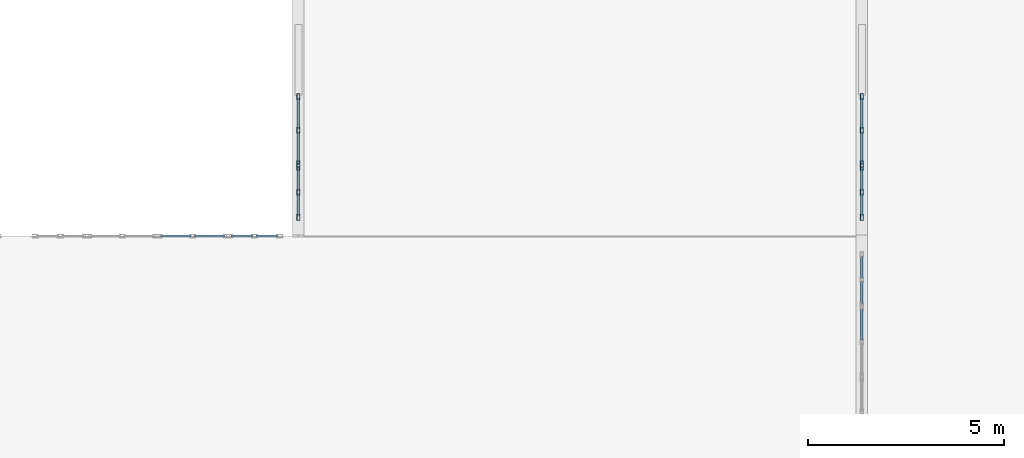
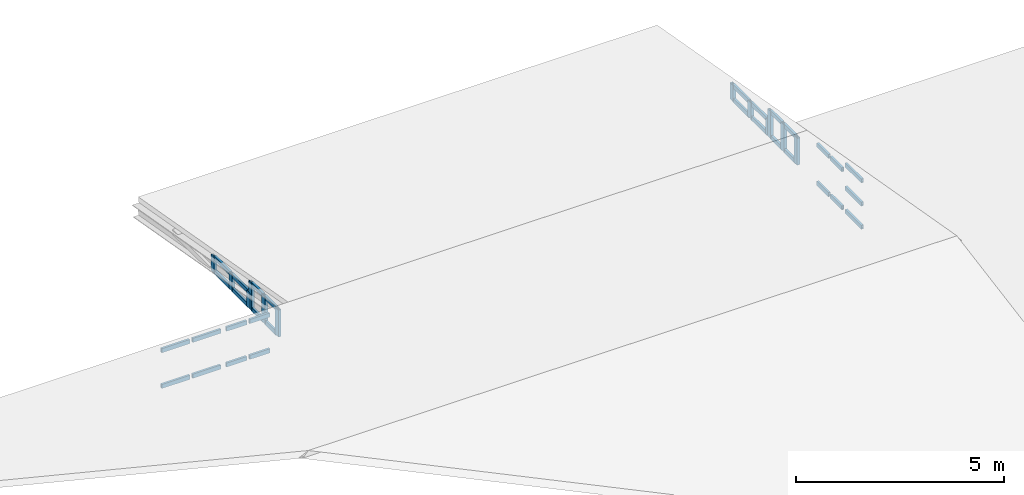
# One storey, part 26 of 39: 43 members, 8 elements without a shape of their own.
"""IFC4 building model written with IfcOpenShell, lengths in metres."""

from ifc_helpers import new_model, si_unit, direction, frame, origin, origin_2d, place, context, subcontext, project, spatial, hollow_rectangle, extrude, material, layer, layer_set, material_profile, profile_set, type_object, element, aggregate, save


model = new_model("IFC4")

# Units and contexts
model_context = context("Model", 3, precision=1e-05, world=origin(), true_north=direction((0.0, 1.0)))
body_context = subcontext(model_context, "Body", "Model", "MODEL_VIEW")
ifc_project = project(units=[si_unit("LENGTHUNIT", "METRE"), si_unit("AREAUNIT", "SQUARE_METRE"), si_unit("VOLUMEUNIT", "CUBIC_METRE"), si_unit("PLANEANGLEUNIT", "RADIAN"), si_unit("MASSUNIT", "GRAM", prefix="KILO"), si_unit("THERMODYNAMICTEMPERATUREUNIT", "KELVIN"), si_unit("POWERUNIT", "WATT")], contexts=[model_context])

# Site, building, storey
site_placement = place(None, origin())
site = spatial("IfcSite", under=ifc_project, at=site_placement, CompositionType="ELEMENT")
building_placement = place(site_placement, origin())
building = spatial("IfcBuilding", under=site, at=building_placement, Name="Kaldorven Railside Theatre", CompositionType="ELEMENT")
storey_placement = place(building_placement, frame((0.0, 0.0, 27.300048828125)))
storey = spatial("IfcBuildingStorey", under=building, at=storey_placement, Name="ROOF", CompositionType="ELEMENT", Elevation=27.300048828125)

# Curtain wall, members
ifc_material_1 = material(Name="Low-E laminated solar-control glass", Category="glass")
ifc_layer_1 = layer(ifc_material_1, 0.159912109375, Name="Low-E laminated solar-control glass")
ifc_layer_set_1 = layer_set([ifc_layer_1], Name="Low-E laminated solar-control glass")
curtain_wall_type_1 = type_object("IfcCurtainWallType", Name="CWT-78", PredefinedType="USERDEFINED", material=ifc_layer_set_1)
curtain_wall_1_placement = place(storey_placement, origin())
curtain_wall_1 = element("IfcCurtainWall", 1, at=curtain_wall_1_placement, inside=storey, type_object=curtain_wall_type_1, Name="Upper Plant East Gable Clerestory CWG-196", ObjectType="FLUTED GLAZING", PredefinedType="USERDEFINED")
ifc_material_2 = material(Name="Anodised bronze aluminium", Category="aluminium")
ifc_material_profile_1 = material_profile(ifc_material_2, hollow_rectangle(XDim=0.080078125, YDim=0.159912109375, WallThickness=0.00634765625, at=origin_2d()), Name="RHS 160x80x6.3")
ifc_profile_set_1 = profile_set([ifc_material_profile_1], Name="Anodised bronze aluminium")
member_type_1 = type_object("IfcMemberType", Name="CWM-160", PredefinedType="MULLION", material=ifc_profile_set_1)
member_1_placement = place(storey_placement, frame((137.60009765625, 134.8798828125, 0.02001953125), z_axis=(0.0, 0.0, 1.0), x_axis=(-1.0, 0.0, 0.0)))
member_1 = element("IfcMember", 2, at=member_1_placement, type_object=member_type_1, Name="CWG-196 mullion 1", PredefinedType="MULLION", context=body_context, shape_type="SweptSolid", body=[
    extrude(hollow_rectangle(XDim=0.080078125, YDim=0.159912109375, WallThickness=0.00634765625, at=origin_2d()), origin(), (0.0, 0.0, 1.0), 0.7900390625),
])
member_2_placement = place(storey_placement, frame((137.60009765625, 135.52001953125, 0.02001953125), z_axis=(0.0, 0.0, 1.0), x_axis=(-1.0, 0.0, 0.0)))
member_2 = element("IfcMember", 3, at=member_2_placement, type_object=member_type_1, Name="CWG-196 mullion 2", PredefinedType="MULLION", context=body_context, shape_type="SweptSolid", body=[
    extrude(hollow_rectangle(XDim=0.080078125, YDim=0.159912109375, WallThickness=0.00634765625, at=origin_2d()), origin(), (0.0, 0.0, 1.0), 0.7900390625),
])
member_3_placement = place(storey_placement, frame((137.60009765625, 136.159912109375, 0.02001953125), z_axis=(0.0, 0.0, 1.0), x_axis=(-1.0, 0.0, 0.0)))
member_3 = element("IfcMember", 4, at=member_3_placement, type_object=member_type_1, Name="CWG-196 mullion 3", PredefinedType="MULLION", context=body_context, shape_type="SweptSolid", body=[
    extrude(hollow_rectangle(XDim=0.080078125, YDim=0.159912109375, WallThickness=0.00634765625, at=origin_2d()), origin(), (0.0, 0.0, 1.0), 0.7900390625),
])

ifc_layer_2 = layer(ifc_material_1, 0.159912109375, Name="Low-E laminated solar-control glass")
ifc_layer_set_2 = layer_set([ifc_layer_2], Name="Low-E laminated solar-control glass")
curtain_wall_type_2 = type_object("IfcCurtainWallType", Name="CWT-77", PredefinedType="USERDEFINED", material=ifc_layer_set_2)
curtain_wall_2_placement = place(storey_placement, origin())
curtain_wall_2 = element("IfcCurtainWall", 5, at=curtain_wall_2_placement, inside=storey, type_object=curtain_wall_type_2, Name="Upper Plant East Gable Clerestory CWG-197", ObjectType="FLUTED GLAZING", PredefinedType="USERDEFINED")
member_4_placement = place(storey_placement, frame((137.60009765625, 136.239990234375, 0.02001953125), z_axis=(0.0, 0.0, 1.0), x_axis=(-1.0, 0.0, 0.0)))
member_4 = element("IfcMember", 6, at=member_4_placement, type_object=member_type_1, Name="CWG-197 mullion 1", PredefinedType="MULLION", context=body_context, shape_type="SweptSolid", body=[
    extrude(hollow_rectangle(XDim=0.080078125, YDim=0.159912109375, WallThickness=0.00634765625, at=origin_2d()), origin(), (0.0, 0.0, 1.0), 0.469970703125),
])
member_5_placement = place(storey_placement, frame((137.60009765625, 137.10009765625, 0.02001953125), z_axis=(0.0, 0.0, 1.0), x_axis=(-1.0, 0.0, 0.0)))
member_5 = element("IfcMember", 7, at=member_5_placement, type_object=member_type_1, Name="CWG-197 mullion 2", PredefinedType="MULLION", context=body_context, shape_type="SweptSolid", body=[
    extrude(hollow_rectangle(XDim=0.080078125, YDim=0.159912109375, WallThickness=0.00634765625, at=origin_2d()), origin(), (0.0, 0.0, 1.0), 0.469970703125),
])
member_6_placement = place(storey_placement, frame((137.60009765625, 137.9599609375, 0.02001953125), z_axis=(0.0, 0.0, 1.0), x_axis=(-1.0, 0.0, 0.0)))
member_6 = element("IfcMember", 8, at=member_6_placement, type_object=member_type_1, Name="CWG-197 mullion 3", PredefinedType="MULLION", context=body_context, shape_type="SweptSolid", body=[
    extrude(hollow_rectangle(XDim=0.080078125, YDim=0.159912109375, WallThickness=0.00634765625, at=origin_2d()), origin(), (0.0, 0.0, 1.0), 0.469970703125),
])

curtain_wall_3_placement = place(storey_placement, origin())
curtain_wall_3 = element("IfcCurtainWall", 9, at=curtain_wall_3_placement, inside=storey, type_object=curtain_wall_type_1, Name="Upper Plant West Gable Clerestory CWG-199", ObjectType="FLUTED GLAZING", PredefinedType="USERDEFINED")
member_7_placement = place(storey_placement, frame((123.199951171875, 134.8798828125, 0.02001953125), z_axis=(0.0, 0.0, 1.0), x_axis=(-1.0, 0.0, 0.0)))
member_7 = element("IfcMember", 10, at=member_7_placement, type_object=member_type_1, Name="CWG-199 mullion 1", PredefinedType="MULLION", context=body_context, shape_type="SweptSolid", body=[
    extrude(hollow_rectangle(XDim=0.080078125, YDim=0.159912109375, WallThickness=0.00634765625, at=origin_2d()), origin(), (0.0, 0.0, 1.0), 0.7900390625),
])
member_8_placement = place(storey_placement, frame((123.199951171875, 135.52001953125, 0.02001953125), z_axis=(0.0, 0.0, 1.0), x_axis=(-1.0, 0.0, 0.0)))
member_8 = element("IfcMember", 11, at=member_8_placement, type_object=member_type_1, Name="CWG-199 mullion 2", PredefinedType="MULLION", context=body_context, shape_type="SweptSolid", body=[
    extrude(hollow_rectangle(XDim=0.080078125, YDim=0.159912109375, WallThickness=0.00634765625, at=origin_2d()), origin(), (0.0, 0.0, 1.0), 0.7900390625),
])
member_9_placement = place(storey_placement, frame((123.199951171875, 136.159912109375, 0.02001953125), z_axis=(0.0, 0.0, 1.0), x_axis=(-1.0, 0.0, 0.0)))
member_9 = element("IfcMember", 12, at=member_9_placement, type_object=member_type_1, Name="CWG-199 mullion 3", PredefinedType="MULLION", context=body_context, shape_type="SweptSolid", body=[
    extrude(hollow_rectangle(XDim=0.080078125, YDim=0.159912109375, WallThickness=0.00634765625, at=origin_2d()), origin(), (0.0, 0.0, 1.0), 0.7900390625),
])

curtain_wall_4_placement = place(storey_placement, origin())
curtain_wall_4 = element("IfcCurtainWall", 13, at=curtain_wall_4_placement, inside=storey, type_object=curtain_wall_type_2, Name="Upper Plant West Gable Clerestory CWG-200", ObjectType="FLUTED GLAZING", PredefinedType="USERDEFINED")
member_10_placement = place(storey_placement, frame((123.199951171875, 136.239990234375, 0.02001953125), z_axis=(0.0, 0.0, 1.0), x_axis=(-1.0, 0.0, 0.0)))
member_10 = element("IfcMember", 14, at=member_10_placement, type_object=member_type_1, Name="CWG-200 mullion 1", PredefinedType="MULLION", context=body_context, shape_type="SweptSolid", body=[
    extrude(hollow_rectangle(XDim=0.080078125, YDim=0.159912109375, WallThickness=0.00634765625, at=origin_2d()), origin(), (0.0, 0.0, 1.0), 0.469970703125),
])
member_11_placement = place(storey_placement, frame((123.199951171875, 137.10009765625, 0.02001953125), z_axis=(0.0, 0.0, 1.0), x_axis=(-1.0, 0.0, 0.0)))
member_11 = element("IfcMember", 15, at=member_11_placement, type_object=member_type_1, Name="CWG-200 mullion 2", PredefinedType="MULLION", context=body_context, shape_type="SweptSolid", body=[
    extrude(hollow_rectangle(XDim=0.080078125, YDim=0.159912109375, WallThickness=0.00634765625, at=origin_2d()), origin(), (0.0, 0.0, 1.0), 0.469970703125),
])
member_12_placement = place(storey_placement, frame((123.199951171875, 137.9599609375, 0.02001953125), z_axis=(0.0, 0.0, 1.0), x_axis=(-1.0, 0.0, 0.0)))
member_12 = element("IfcMember", 16, at=member_12_placement, type_object=member_type_1, Name="CWG-200 mullion 3", PredefinedType="MULLION", context=body_context, shape_type="SweptSolid", body=[
    extrude(hollow_rectangle(XDim=0.080078125, YDim=0.159912109375, WallThickness=0.00634765625, at=origin_2d()), origin(), (0.0, 0.0, 1.0), 0.469970703125),
])

ifc_layer_3 = layer(ifc_material_1, 0.159912109375, Name="Low-E laminated solar-control glass")
ifc_layer_set_3 = layer_set([ifc_layer_3], Name="Low-E laminated solar-control glass")
curtain_wall_type_3 = type_object("IfcCurtainWallType", Name="CWT-79", PredefinedType="USERDEFINED", material=ifc_layer_set_3)
curtain_wall_5_placement = place(storey_placement, origin())
curtain_wall_5 = element("IfcCurtainWall", 17, at=curtain_wall_5_placement, inside=storey, type_object=curtain_wall_type_3, Name="Upper Plant East Gable Clerestory CWG-194", ObjectType="FLUTED GLAZING", PredefinedType="USERDEFINED")
ifc_material_profile_2 = material_profile(ifc_material_2, hollow_rectangle(XDim=0.06005859375, YDim=0.1201171875, WallThickness=0.0048828125, at=origin_2d()), Name="RHS 120x60x5")
ifc_profile_set_2 = profile_set([ifc_material_profile_2], Name="Anodised bronze aluminium")
member_type_2 = type_object("IfcMemberType", Name="CWT-120", PredefinedType="USERDEFINED", material=ifc_profile_set_2)
member_13_placement = place(storey_placement, frame((137.60009765625, 131.739990234375, 0.050048828125), z_axis=(0.0, 1.0, 0.0), x_axis=(-1.0, 0.0, 0.0)))
member_13 = element("IfcMember", 18, at=member_13_placement, type_object=member_type_2, Name="CWG-194 transom 2.1", ObjectType="TRANSOM", PredefinedType="USERDEFINED", context=body_context, shape_type="SweptSolid", body=[
    extrude(hollow_rectangle(XDim=0.06005859375, YDim=0.1201171875, WallThickness=0.0048828125, at=origin_2d()), origin(), (0.0, 0.0, 1.0), 0.780029296875),
])
member_14_placement = place(storey_placement, frame((137.60009765625, 131.739990234375, 0.72998046875), z_axis=(0.0, 1.0, 0.0), x_axis=(-1.0, 0.0, 0.0)))
member_14 = element("IfcMember", 19, at=member_14_placement, type_object=member_type_2, Name="CWG-194 transom 2.2", ObjectType="TRANSOM", PredefinedType="USERDEFINED", context=body_context, shape_type="SweptSolid", body=[
    extrude(hollow_rectangle(XDim=0.06005859375, YDim=0.1201171875, WallThickness=0.0048828125, at=origin_2d()), origin(), (0.0, 0.0, 1.0), 0.780029296875),
])
member_15_placement = place(storey_placement, frame((137.60009765625, 131.739990234375, 1.409912109375), z_axis=(0.0, 1.0, 0.0), x_axis=(-1.0, 0.0, 0.0)))
member_15 = element("IfcMember", 20, at=member_15_placement, type_object=member_type_2, Name="CWG-194 transom 2.3", ObjectType="TRANSOM", PredefinedType="USERDEFINED", context=body_context, shape_type="SweptSolid", body=[
    extrude(hollow_rectangle(XDim=0.06005859375, YDim=0.1201171875, WallThickness=0.0048828125, at=origin_2d()), origin(), (0.0, 0.0, 1.0), 0.780029296875),
])
aggregate(curtain_wall_5, [member_13, member_14, member_15])

ifc_layer_4 = layer(ifc_material_1, 0.159912109375, Name="Low-E laminated solar-control glass")
ifc_layer_set_4 = layer_set([ifc_layer_4], Name="Low-E laminated solar-control glass")
curtain_wall_type_4 = type_object("IfcCurtainWallType", Name="CWT-61", PredefinedType="USERDEFINED", material=ifc_layer_set_4)
curtain_wall_6_placement = place(storey_placement, origin())
curtain_wall_6 = element("IfcCurtainWall", 21, at=curtain_wall_6_placement, inside=storey, type_object=curtain_wall_type_4, Name="Upper Plant East Gable Clerestory CWG-195", ObjectType="FLUTED GLAZING", PredefinedType="USERDEFINED")
member_16_placement = place(storey_placement, frame((137.60009765625, 132.679931640625, 0.050048828125), z_axis=(0.0, 1.0, 0.0), x_axis=(-1.0, 0.0, 0.0)))
member_16 = element("IfcMember", 22, at=member_16_placement, type_object=member_type_2, Name="CWG-195 transom 1.1", ObjectType="TRANSOM", PredefinedType="USERDEFINED", context=body_context, shape_type="SweptSolid", body=[
    extrude(hollow_rectangle(XDim=0.06005859375, YDim=0.1201171875, WallThickness=0.0048828125, at=origin_2d()), origin(), (0.0, 0.0, 1.0), 0.56005859375),
])
member_17_placement = place(storey_placement, frame((137.60009765625, 132.679931640625, 1.169921875), z_axis=(0.0, 1.0, 0.0), x_axis=(-1.0, 0.0, 0.0)))
member_17 = element("IfcMember", 23, at=member_17_placement, type_object=member_type_2, Name="CWG-195 transom 1.2", ObjectType="TRANSOM", PredefinedType="USERDEFINED", context=body_context, shape_type="SweptSolid", body=[
    extrude(hollow_rectangle(XDim=0.06005859375, YDim=0.1201171875, WallThickness=0.0048828125, at=origin_2d()), origin(), (0.0, 0.0, 1.0), 0.56005859375),
])
member_18_placement = place(storey_placement, frame((137.60009765625, 133.320068359375, 0.050048828125), z_axis=(0.0, 1.0, 0.0), x_axis=(-1.0, 0.0, 0.0)))
member_18 = element("IfcMember", 24, at=member_18_placement, type_object=member_type_2, Name="CWG-195 transom 2.1", ObjectType="TRANSOM", PredefinedType="USERDEFINED", context=body_context, shape_type="SweptSolid", body=[
    extrude(hollow_rectangle(XDim=0.06005859375, YDim=0.1201171875, WallThickness=0.0048828125, at=origin_2d()), origin(), (0.0, 0.0, 1.0), 0.559814453125),
])
member_19_placement = place(storey_placement, frame((137.60009765625, 133.320068359375, 1.169921875), z_axis=(0.0, 1.0, 0.0), x_axis=(-1.0, 0.0, 0.0)))
member_19 = element("IfcMember", 25, at=member_19_placement, type_object=member_type_2, Name="CWG-195 transom 2.2", ObjectType="TRANSOM", PredefinedType="USERDEFINED", context=body_context, shape_type="SweptSolid", body=[
    extrude(hollow_rectangle(XDim=0.06005859375, YDim=0.1201171875, WallThickness=0.0048828125, at=origin_2d()), origin(), (0.0, 0.0, 1.0), 0.559814453125),
])
aggregate(curtain_wall_6, [member_16, member_17, member_18, member_19])

# Member
member_20_placement = place(storey_placement, frame((137.60009765625, 134.919921875, 0.050048828125), z_axis=(0.0, 1.0, 0.0), x_axis=(-1.0, 0.0, 0.0)))
member_20 = element("IfcMember", 26, at=member_20_placement, type_object=member_type_2, Name="CWG-196 transom 1.1", ObjectType="TRANSOM", PredefinedType="USERDEFINED", context=body_context, shape_type="SweptSolid", body=[
    extrude(hollow_rectangle(XDim=0.06005859375, YDim=0.1201171875, WallThickness=0.0048828125, at=origin_2d()), origin(), (0.0, 0.0, 1.0), 0.56005859375),
])

member_21_placement = place(storey_placement, frame((137.60009765625, 134.919921875, 0.780029296875), z_axis=(0.0, 1.0, 0.0), x_axis=(-1.0, 0.0, 0.0)))
member_21 = element("IfcMember", 27, at=member_21_placement, type_object=member_type_2, Name="CWG-196 transom 1.2", ObjectType="TRANSOM", PredefinedType="USERDEFINED", context=body_context, shape_type="SweptSolid", body=[
    extrude(hollow_rectangle(XDim=0.06005859375, YDim=0.1201171875, WallThickness=0.0048828125, at=origin_2d()), origin(), (0.0, 0.0, 1.0), 0.56005859375),
])

member_22_placement = place(storey_placement, frame((137.60009765625, 135.56005859375, 0.050048828125), z_axis=(0.0, 1.0, 0.0), x_axis=(-1.0, 0.0, 0.0)))
member_22 = element("IfcMember", 28, at=member_22_placement, type_object=member_type_2, Name="CWG-196 transom 2.1", ObjectType="TRANSOM", PredefinedType="USERDEFINED", context=body_context, shape_type="SweptSolid", body=[
    extrude(hollow_rectangle(XDim=0.06005859375, YDim=0.1201171875, WallThickness=0.0048828125, at=origin_2d()), origin(), (0.0, 0.0, 1.0), 0.56005859375),
])

member_23_placement = place(storey_placement, frame((137.60009765625, 135.56005859375, 0.780029296875), z_axis=(0.0, 1.0, 0.0), x_axis=(-1.0, 0.0, 0.0)))
member_23 = element("IfcMember", 29, at=member_23_placement, type_object=member_type_2, Name="CWG-196 transom 2.2", ObjectType="TRANSOM", PredefinedType="USERDEFINED", context=body_context, shape_type="SweptSolid", body=[
    extrude(hollow_rectangle(XDim=0.06005859375, YDim=0.1201171875, WallThickness=0.0048828125, at=origin_2d()), origin(), (0.0, 0.0, 1.0), 0.56005859375),
])

aggregate(curtain_wall_1, [member_1, member_2, member_3, member_20, member_21, member_22, member_23])

member_24_placement = place(storey_placement, frame((137.60009765625, 136.280029296875, 0.050048828125), z_axis=(0.0, 1.0, 0.0), x_axis=(-1.0, 0.0, 0.0)))
member_24 = element("IfcMember", 30, at=member_24_placement, type_object=member_type_2, Name="CWG-197 transom 1.1", ObjectType="TRANSOM", PredefinedType="USERDEFINED", context=body_context, shape_type="SweptSolid", body=[
    extrude(hollow_rectangle(XDim=0.06005859375, YDim=0.1201171875, WallThickness=0.0048828125, at=origin_2d()), origin(), (0.0, 0.0, 1.0), 0.780029296875),
])

member_25_placement = place(storey_placement, frame((137.60009765625, 136.280029296875, 0.4599609375), z_axis=(0.0, 1.0, 0.0), x_axis=(-1.0, 0.0, 0.0)))
member_25 = element("IfcMember", 31, at=member_25_placement, type_object=member_type_2, Name="CWG-197 transom 1.2", ObjectType="TRANSOM", PredefinedType="USERDEFINED", context=body_context, shape_type="SweptSolid", body=[
    extrude(hollow_rectangle(XDim=0.06005859375, YDim=0.1201171875, WallThickness=0.0048828125, at=origin_2d()), origin(), (0.0, 0.0, 1.0), 0.780029296875),
])

member_26_placement = place(storey_placement, frame((137.60009765625, 137.139892578125, 0.050048828125), z_axis=(0.0, 1.0, 0.0), x_axis=(-1.0, 0.0, 0.0)))
member_26 = element("IfcMember", 32, at=member_26_placement, type_object=member_type_2, Name="CWG-197 transom 2.1", ObjectType="TRANSOM", PredefinedType="USERDEFINED", context=body_context, shape_type="SweptSolid", body=[
    extrude(hollow_rectangle(XDim=0.06005859375, YDim=0.1201171875, WallThickness=0.0048828125, at=origin_2d()), origin(), (0.0, 0.0, 1.0), 0.780029296875),
])

member_27_placement = place(storey_placement, frame((137.60009765625, 137.139892578125, 0.4599609375), z_axis=(0.0, 1.0, 0.0), x_axis=(-1.0, 0.0, 0.0)))
member_27 = element("IfcMember", 33, at=member_27_placement, type_object=member_type_2, Name="CWG-197 transom 2.2", ObjectType="TRANSOM", PredefinedType="USERDEFINED", context=body_context, shape_type="SweptSolid", body=[
    extrude(hollow_rectangle(XDim=0.06005859375, YDim=0.1201171875, WallThickness=0.0048828125, at=origin_2d()), origin(), (0.0, 0.0, 1.0), 0.780029296875),
])

aggregate(curtain_wall_2, [member_4, member_5, member_6, member_24, member_25, member_26, member_27])

member_28_placement = place(storey_placement, frame((123.199951171875, 134.919921875, 0.050048828125), z_axis=(0.0, 1.0, 0.0), x_axis=(-1.0, 0.0, 0.0)))
member_28 = element("IfcMember", 34, at=member_28_placement, type_object=member_type_2, Name="CWG-199 transom 1.1", ObjectType="TRANSOM", PredefinedType="USERDEFINED", context=body_context, shape_type="SweptSolid", body=[
    extrude(hollow_rectangle(XDim=0.06005859375, YDim=0.1201171875, WallThickness=0.0048828125, at=origin_2d()), origin(), (0.0, 0.0, 1.0), 0.56005859375),
])

member_29_placement = place(storey_placement, frame((123.199951171875, 134.919921875, 0.780029296875), z_axis=(0.0, 1.0, 0.0), x_axis=(-1.0, 0.0, 0.0)))
member_29 = element("IfcMember", 35, at=member_29_placement, type_object=member_type_2, Name="CWG-199 transom 1.2", ObjectType="TRANSOM", PredefinedType="USERDEFINED", context=body_context, shape_type="SweptSolid", body=[
    extrude(hollow_rectangle(XDim=0.06005859375, YDim=0.1201171875, WallThickness=0.0048828125, at=origin_2d()), origin(), (0.0, 0.0, 1.0), 0.56005859375),
])

member_30_placement = place(storey_placement, frame((123.199951171875, 135.56005859375, 0.050048828125), z_axis=(0.0, 1.0, 0.0), x_axis=(-1.0, 0.0, 0.0)))
member_30 = element("IfcMember", 36, at=member_30_placement, type_object=member_type_2, Name="CWG-199 transom 2.1", ObjectType="TRANSOM", PredefinedType="USERDEFINED", context=body_context, shape_type="SweptSolid", body=[
    extrude(hollow_rectangle(XDim=0.06005859375, YDim=0.1201171875, WallThickness=0.0048828125, at=origin_2d()), origin(), (0.0, 0.0, 1.0), 0.56005859375),
])

member_31_placement = place(storey_placement, frame((123.199951171875, 135.56005859375, 0.780029296875), z_axis=(0.0, 1.0, 0.0), x_axis=(-1.0, 0.0, 0.0)))
member_31 = element("IfcMember", 37, at=member_31_placement, type_object=member_type_2, Name="CWG-199 transom 2.2", ObjectType="TRANSOM", PredefinedType="USERDEFINED", context=body_context, shape_type="SweptSolid", body=[
    extrude(hollow_rectangle(XDim=0.06005859375, YDim=0.1201171875, WallThickness=0.0048828125, at=origin_2d()), origin(), (0.0, 0.0, 1.0), 0.56005859375),
])

aggregate(curtain_wall_3, [member_7, member_8, member_9, member_28, member_29, member_30, member_31])

member_32_placement = place(storey_placement, frame((123.199951171875, 136.280029296875, 0.050048828125), z_axis=(0.0, 1.0, 0.0), x_axis=(-1.0, 0.0, 0.0)))
member_32 = element("IfcMember", 38, at=member_32_placement, type_object=member_type_2, Name="CWG-200 transom 1.1", ObjectType="TRANSOM", PredefinedType="USERDEFINED", context=body_context, shape_type="SweptSolid", body=[
    extrude(hollow_rectangle(XDim=0.06005859375, YDim=0.1201171875, WallThickness=0.0048828125, at=origin_2d()), origin(), (0.0, 0.0, 1.0), 0.780029296875),
])

member_33_placement = place(storey_placement, frame((123.199951171875, 136.280029296875, 0.4599609375), z_axis=(0.0, 1.0, 0.0), x_axis=(-1.0, 0.0, 0.0)))
member_33 = element("IfcMember", 39, at=member_33_placement, type_object=member_type_2, Name="CWG-200 transom 1.2", ObjectType="TRANSOM", PredefinedType="USERDEFINED", context=body_context, shape_type="SweptSolid", body=[
    extrude(hollow_rectangle(XDim=0.06005859375, YDim=0.1201171875, WallThickness=0.0048828125, at=origin_2d()), origin(), (0.0, 0.0, 1.0), 0.780029296875),
])

member_34_placement = place(storey_placement, frame((123.199951171875, 137.139892578125, 0.050048828125), z_axis=(0.0, 1.0, 0.0), x_axis=(-1.0, 0.0, 0.0)))
member_34 = element("IfcMember", 40, at=member_34_placement, type_object=member_type_2, Name="CWG-200 transom 2.1", ObjectType="TRANSOM", PredefinedType="USERDEFINED", context=body_context, shape_type="SweptSolid", body=[
    extrude(hollow_rectangle(XDim=0.06005859375, YDim=0.1201171875, WallThickness=0.0048828125, at=origin_2d()), origin(), (0.0, 0.0, 1.0), 0.780029296875),
])

member_35_placement = place(storey_placement, frame((123.199951171875, 137.139892578125, 0.4599609375), z_axis=(0.0, 1.0, 0.0), x_axis=(-1.0, 0.0, 0.0)))
member_35 = element("IfcMember", 41, at=member_35_placement, type_object=member_type_2, Name="CWG-200 transom 2.2", ObjectType="TRANSOM", PredefinedType="USERDEFINED", context=body_context, shape_type="SweptSolid", body=[
    extrude(hollow_rectangle(XDim=0.06005859375, YDim=0.1201171875, WallThickness=0.0048828125, at=origin_2d()), origin(), (0.0, 0.0, 1.0), 0.780029296875),
])

aggregate(curtain_wall_4, [member_10, member_11, member_12, member_32, member_33, member_34, member_35])

# Curtain wall, members
ifc_layer_5 = layer(ifc_material_1, 0.159912109375, Name="Low-E laminated solar-control glass")
ifc_layer_set_5 = layer_set([ifc_layer_5], Name="Low-E laminated solar-control glass")
curtain_wall_type_5 = type_object("IfcCurtainWallType", Name="CWT-83", PredefinedType="USERDEFINED", material=ifc_layer_set_5)
curtain_wall_7_placement = place(storey_placement, origin())
curtain_wall_7 = element("IfcCurtainWall", 42, at=curtain_wall_7_placement, inside=storey, type_object=curtain_wall_type_5, Name="Backstage Link North Clerestory CWG-208", ObjectType="FLUTED GLAZING", PredefinedType="USERDEFINED")
member_36_placement = place(storey_placement, frame((119.679931640625, 134.39990234375, 0.050048828125), z_axis=(1.0, 0.0, 0.0), x_axis=(0.0, 1.0, 0.0)))
member_36 = element("IfcMember", 43, at=member_36_placement, type_object=member_type_2, Name="CWG-208 transom 1.1", ObjectType="TRANSOM", PredefinedType="USERDEFINED", context=body_context, shape_type="SweptSolid", body=[
    extrude(hollow_rectangle(XDim=0.06005859375, YDim=0.1201171875, WallThickness=0.0048828125, at=origin_2d()), origin(), (0.0, 0.0, 1.0), 0.780029296875),
])
member_37_placement = place(storey_placement, frame((119.679931640625, 134.39990234375, 1.099853515625), z_axis=(1.0, 0.0, 0.0), x_axis=(0.0, 1.0, 0.0)))
member_37 = element("IfcMember", 44, at=member_37_placement, type_object=member_type_2, Name="CWG-208 transom 1.2", ObjectType="TRANSOM", PredefinedType="USERDEFINED", context=body_context, shape_type="SweptSolid", body=[
    extrude(hollow_rectangle(XDim=0.06005859375, YDim=0.1201171875, WallThickness=0.0048828125, at=origin_2d()), origin(), (0.0, 0.0, 1.0), 0.780029296875),
])
member_38_placement = place(storey_placement, frame((120.5400390625, 134.39990234375, 0.050048828125), z_axis=(1.0, 0.0, 0.0), x_axis=(0.0, 1.0, 0.0)))
member_38 = element("IfcMember", 45, at=member_38_placement, type_object=member_type_2, Name="CWG-208 transom 2.1", ObjectType="TRANSOM", PredefinedType="USERDEFINED", context=body_context, shape_type="SweptSolid", body=[
    extrude(hollow_rectangle(XDim=0.06005859375, YDim=0.1201171875, WallThickness=0.0048828125, at=origin_2d()), origin(), (0.0, 0.0, 1.0), 0.780029296875),
])
member_39_placement = place(storey_placement, frame((120.5400390625, 134.39990234375, 1.099853515625), z_axis=(1.0, 0.0, 0.0), x_axis=(0.0, 1.0, 0.0)))
member_39 = element("IfcMember", 46, at=member_39_placement, type_object=member_type_2, Name="CWG-208 transom 2.2", ObjectType="TRANSOM", PredefinedType="USERDEFINED", context=body_context, shape_type="SweptSolid", body=[
    extrude(hollow_rectangle(XDim=0.06005859375, YDim=0.1201171875, WallThickness=0.0048828125, at=origin_2d()), origin(), (0.0, 0.0, 1.0), 0.780029296875),
])
aggregate(curtain_wall_7, [member_36, member_37, member_38, member_39])

ifc_layer_6 = layer(ifc_material_1, 0.159912109375, Name="Low-E laminated solar-control glass")
ifc_layer_set_6 = layer_set([ifc_layer_6], Name="Low-E laminated solar-control glass")
curtain_wall_type_6 = type_object("IfcCurtainWallType", Name="CWT-82", PredefinedType="USERDEFINED", material=ifc_layer_set_6)
curtain_wall_8_placement = place(storey_placement, origin())
curtain_wall_8 = element("IfcCurtainWall", 47, at=curtain_wall_8_placement, inside=storey, type_object=curtain_wall_type_6, Name="Backstage Link North Clerestory CWG-209", ObjectType="FLUTED GLAZING", PredefinedType="USERDEFINED")
member_40_placement = place(storey_placement, frame((121.47998046875, 134.39990234375, 0.050048828125), z_axis=(1.0, 0.0, 0.0), x_axis=(0.0, 1.0, 0.0)))
member_40 = element("IfcMember", 48, at=member_40_placement, type_object=member_type_2, Name="CWG-209 transom 1.1", ObjectType="TRANSOM", PredefinedType="USERDEFINED", context=body_context, shape_type="SweptSolid", body=[
    extrude(hollow_rectangle(XDim=0.06005859375, YDim=0.1201171875, WallThickness=0.0048828125, at=origin_2d()), origin(), (0.0, 0.0, 1.0), 0.56005859375),
])
member_41_placement = place(storey_placement, frame((121.47998046875, 134.39990234375, 1.099853515625), z_axis=(1.0, 0.0, 0.0), x_axis=(0.0, 1.0, 0.0)))
member_41 = element("IfcMember", 49, at=member_41_placement, type_object=member_type_2, Name="CWG-209 transom 1.2", ObjectType="TRANSOM", PredefinedType="USERDEFINED", context=body_context, shape_type="SweptSolid", body=[
    extrude(hollow_rectangle(XDim=0.06005859375, YDim=0.1201171875, WallThickness=0.0048828125, at=origin_2d()), origin(), (0.0, 0.0, 1.0), 0.56005859375),
])
member_42_placement = place(storey_placement, frame((122.1201171875, 134.39990234375, 0.050048828125), z_axis=(1.0, 0.0, 0.0), x_axis=(0.0, 1.0, 0.0)))
member_42 = element("IfcMember", 50, at=member_42_placement, type_object=member_type_2, Name="CWG-209 transom 2.1", ObjectType="TRANSOM", PredefinedType="USERDEFINED", context=body_context, shape_type="SweptSolid", body=[
    extrude(hollow_rectangle(XDim=0.06005859375, YDim=0.1201171875, WallThickness=0.0048828125, at=origin_2d()), origin(), (0.0, 0.0, 1.0), 0.559814453125),
])
member_43_placement = place(storey_placement, frame((122.1201171875, 134.39990234375, 1.099853515625), z_axis=(1.0, 0.0, 0.0), x_axis=(0.0, 1.0, 0.0)))
member_43 = element("IfcMember", 51, at=member_43_placement, type_object=member_type_2, Name="CWG-209 transom 2.2", ObjectType="TRANSOM", PredefinedType="USERDEFINED", context=body_context, shape_type="SweptSolid", body=[
    extrude(hollow_rectangle(XDim=0.06005859375, YDim=0.1201171875, WallThickness=0.0048828125, at=origin_2d()), origin(), (0.0, 0.0, 1.0), 0.559814453125),
])
aggregate(curtain_wall_8, [member_40, member_41, member_42, member_43])

save(model, "model.ifc")
